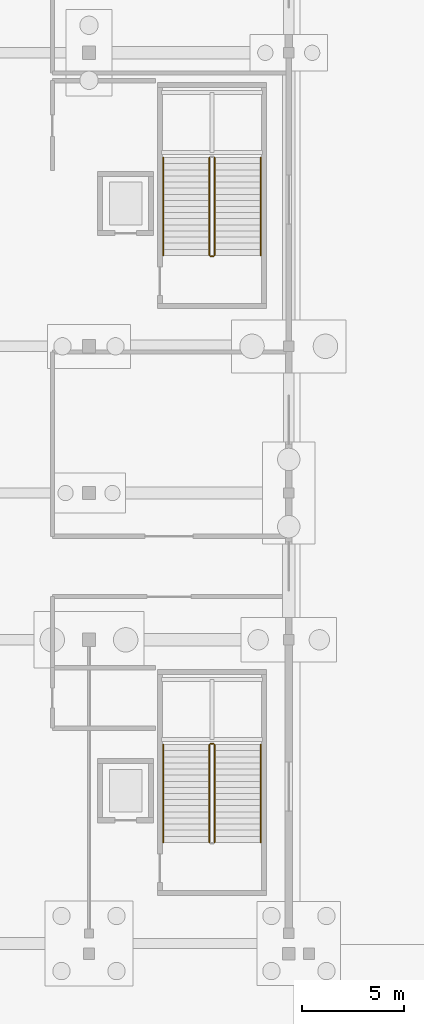
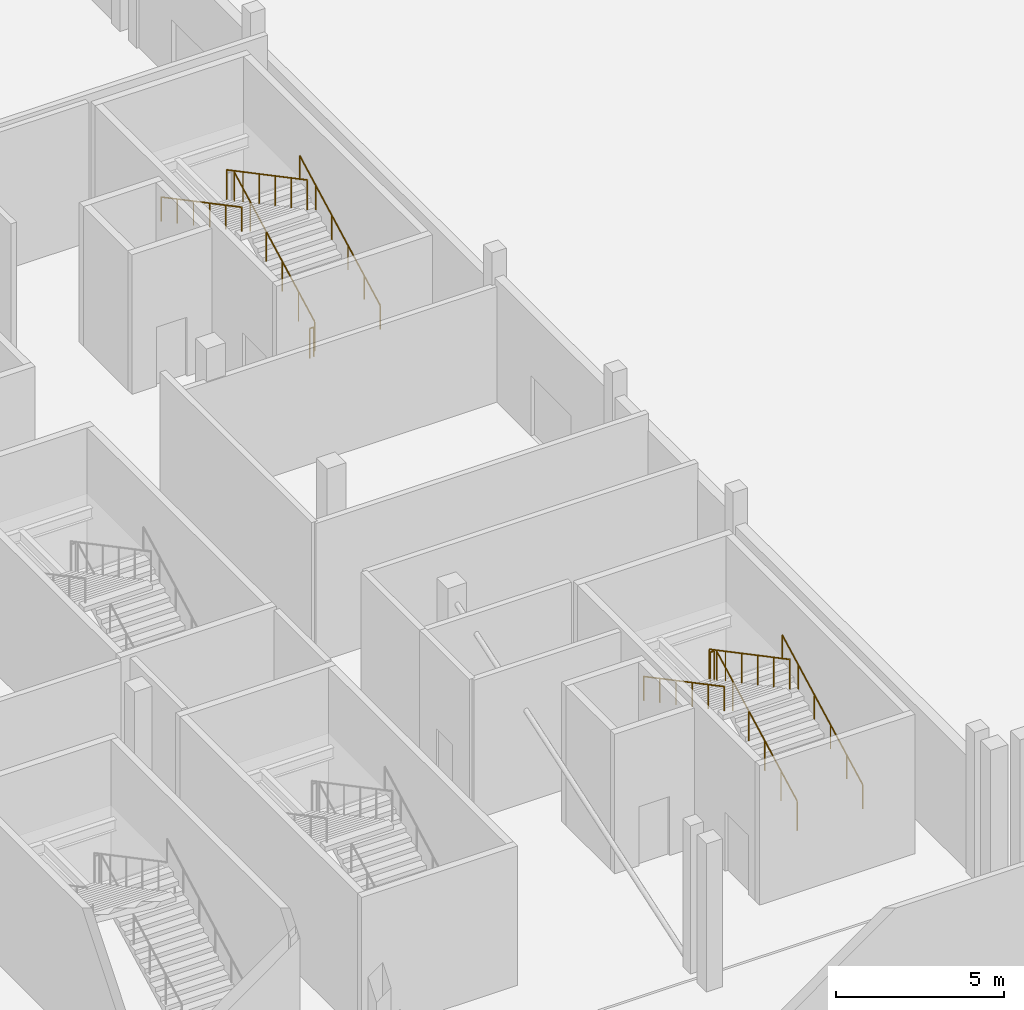
# One storey, part 79 of 89: 10 railings.
"""IFC4 building model written with IfcOpenShell, lengths in metres."""

from ifc_helpers import new_model, si_unit, direction, frame, origin, origin_2d, place, context, subcontext, project, spatial, circle, extrude, material, type_object, element, save


model = new_model("IFC4")

# Units and contexts
model_context = context("Model", 3, precision=1e-05, world=origin(), true_north=direction((0.0, 1.0)))
body_context = subcontext(model_context, "Body", "Model", "MODEL_VIEW")
ifc_project = project(units=[si_unit("LENGTHUNIT", "METRE"), si_unit("AREAUNIT", "SQUARE_METRE"), si_unit("VOLUMEUNIT", "CUBIC_METRE"), si_unit("PLANEANGLEUNIT", "RADIAN"), si_unit("MASSUNIT", "GRAM", prefix="KILO")], contexts=[model_context])

# Site, building, storey
site_placement = place(None, origin())
site = spatial("IfcSite", under=ifc_project, at=site_placement, CompositionType="ELEMENT")
building_placement = place(site_placement, origin())
building = spatial("IfcBuilding", under=site, at=building_placement, Name="Koshinbarg Plaza Stadium", CompositionType="ELEMENT")
storey_placement = place(building_placement, origin())
storey = spatial("IfcBuildingStorey", under=building, at=storey_placement, Name="L00", CompositionType="ELEMENT", Elevation=0.0)

# Railings
ifc_material_1 = material(Name="Galvanized painted steel guardrail", Category="steel")
railing_type_1 = type_object("IfcRailingType", Name="RL-GUARD-1100", PredefinedType="GUARDRAIL", material=ifc_material_1)
railing_1_placement = place(storey_placement, frame((214.760009765625, 29.9599609375, 0.158935546875)))
element("IfcRailing", 1, at=railing_1_placement, inside=storey, type_object=railing_type_1, Name="L00 C07 stair guard 1", PredefinedType="GUARDRAIL", context=body_context, shape_type="SweptSolid", body=[
    extrude(circle(Radius=0.02392578125, at=origin_2d()), frame((0.0, 0.0, 1.076171875), z_axis=(0.0, 0.883802130504, 0.467860870469), x_axis=(-1.0, 0.0, 0.0)), (0.0, 0.0, 1.0), 5.43115234375),
    extrude(circle(Radius=0.02099609375, at=origin_2d()), origin(), (0.0, 0.0, 1.0), 1.052001953125),
    extrude(circle(Radius=0.02099609375, at=origin_2d()), frame((0.0, 0.9599609375, 0.50830078125)), (0.0, 0.0, 1.0), 1.052001953125),
    extrude(circle(Radius=0.02099609375, at=origin_2d()), frame((0.0, 1.919921875, 1.016357421875)), (0.0, 0.0, 1.0), 1.052001953125),
    extrude(circle(Radius=0.02099609375, at=origin_2d()), frame((0.0, 2.880126953125, 1.524658203125)), (0.0, 0.0, 1.0), 1.052001953125),
    extrude(circle(Radius=0.02099609375, at=origin_2d()), frame((0.0, 3.840087890625, 2.03271484375)), (0.0, 0.0, 1.0), 1.052001953125),
    extrude(circle(Radius=0.02099609375, at=origin_2d()), frame((0.0, 4.800048828125, 2.541015625)), (0.0, 0.0, 1.0), 1.052001953125),
])
railing_2_placement = place(storey_placement, frame((214.7099609375, 34.81005859375, 2.699951171875)))
element("IfcRailing", 2, at=railing_2_placement, inside=storey, type_object=railing_type_1, Name="L00 C07 stair guard 2", PredefinedType="GUARDRAIL", context=body_context, shape_type="SweptSolid", body=[
    extrude(circle(Radius=0.02392578125, at=origin_2d()), frame((0.0, 0.0, 1.076171875), z_axis=(-1.0, 0.0, 0.0), x_axis=(0.0, -1.0, 0.0)), (0.0, 0.0, 1.0), 0.14990234375),
    extrude(circle(Radius=0.02099609375, at=origin_2d()), origin(), (0.0, 0.0, 1.0), 1.052001953125),
    extrude(circle(Radius=0.02099609375, at=origin_2d()), frame((-0.14990234375, 0.0, 0.0)), (0.0, 0.0, 1.0), 1.052001953125),
])
railing_3_placement = place(storey_placement, frame((214.510009765625, 34.760009765625, 2.85888671875)))
element("IfcRailing", 3, at=railing_3_placement, inside=storey, type_object=railing_type_1, Name="L00 C07 stair guard 3", PredefinedType="GUARDRAIL", context=body_context, shape_type="SweptSolid", body=[
    extrude(circle(Radius=0.02392578125, at=origin_2d()), frame((0.0, 0.0, 1.076171875), z_axis=(0.0, -0.883802130504, 0.467860870469), x_axis=(1.0, 0.0, 0.0)), (0.0, 0.0, 1.0), 5.43115234375),
    extrude(circle(Radius=0.02099609375, at=origin_2d()), origin(), (0.0, 0.0, 1.0), 1.052001953125),
    extrude(circle(Radius=0.02099609375, at=origin_2d()), frame((0.0, -0.9599609375, 0.50830078125)), (0.0, 0.0, 1.0), 1.052001953125),
    extrude(circle(Radius=0.02099609375, at=origin_2d()), frame((0.0, -1.919921875, 1.016357421875)), (0.0, 0.0, 1.0), 1.052001953125),
    extrude(circle(Radius=0.02099609375, at=origin_2d()), frame((0.0, -2.880126953125, 1.524658203125)), (0.0, 0.0, 1.0), 1.052001953125),
    extrude(circle(Radius=0.02099609375, at=origin_2d()), frame((0.0, -3.840087890625, 2.03271484375)), (0.0, 0.0, 1.0), 1.052001953125),
    extrude(circle(Radius=0.02099609375, at=origin_2d()), frame((0.0, -4.800048828125, 2.541015625)), (0.0, 0.0, 1.0), 1.052001953125),
])
railing_4_placement = place(storey_placement, frame((214.760009765625, 58.760009765625, 0.158935546875)))
element("IfcRailing", 4, at=railing_4_placement, inside=storey, type_object=railing_type_1, Name="L00 C08 stair guard 1", PredefinedType="GUARDRAIL", context=body_context, shape_type="SweptSolid", body=[
    extrude(circle(Radius=0.02392578125, at=origin_2d()), frame((0.0, 0.0, 1.076171875), z_axis=(0.0, 0.883802130504, 0.467860870469), x_axis=(-1.0, 0.0, 0.0)), (0.0, 0.0, 1.0), 5.43115234375),
    extrude(circle(Radius=0.02099609375, at=origin_2d()), origin(), (0.0, 0.0, 1.0), 1.052001953125),
    extrude(circle(Radius=0.02099609375, at=origin_2d()), frame((0.0, 0.9599609375, 0.50830078125)), (0.0, 0.0, 1.0), 1.052001953125),
    extrude(circle(Radius=0.02099609375, at=origin_2d()), frame((0.0, 1.919921875, 1.016357421875)), (0.0, 0.0, 1.0), 1.052001953125),
    extrude(circle(Radius=0.02099609375, at=origin_2d()), frame((0.0, 2.880126953125, 1.524658203125)), (0.0, 0.0, 1.0), 1.052001953125),
    extrude(circle(Radius=0.02099609375, at=origin_2d()), frame((0.0, 3.840087890625, 2.03271484375)), (0.0, 0.0, 1.0), 1.052001953125),
    extrude(circle(Radius=0.02099609375, at=origin_2d()), frame((0.0, 4.800048828125, 2.541015625)), (0.0, 0.0, 1.0), 1.052001953125),
])
railing_5_placement = place(storey_placement, frame((214.510009765625, 63.56005859375, 2.85888671875)))
element("IfcRailing", 5, at=railing_5_placement, inside=storey, type_object=railing_type_1, Name="L00 C08 stair guard 3", PredefinedType="GUARDRAIL", context=body_context, shape_type="SweptSolid", body=[
    extrude(circle(Radius=0.02392578125, at=origin_2d()), frame((0.0, 0.0, 1.076171875), z_axis=(0.0, -0.883802130504, 0.467860870469), x_axis=(1.0, 0.0, 0.0)), (0.0, 0.0, 1.0), 5.43115234375),
    extrude(circle(Radius=0.02099609375, at=origin_2d()), origin(), (0.0, 0.0, 1.0), 1.052001953125),
    extrude(circle(Radius=0.02099609375, at=origin_2d()), frame((0.0, -0.9599609375, 0.50830078125)), (0.0, 0.0, 1.0), 1.052001953125),
    extrude(circle(Radius=0.02099609375, at=origin_2d()), frame((0.0, -1.919921875, 1.016357421875)), (0.0, 0.0, 1.0), 1.052001953125),
    extrude(circle(Radius=0.02099609375, at=origin_2d()), frame((0.0, -2.880126953125, 1.524658203125)), (0.0, 0.0, 1.0), 1.052001953125),
    extrude(circle(Radius=0.02099609375, at=origin_2d()), frame((0.0, -3.840087890625, 2.03271484375)), (0.0, 0.0, 1.0), 1.052001953125),
    extrude(circle(Radius=0.02099609375, at=origin_2d()), frame((0.0, -4.800048828125, 2.541015625)), (0.0, 0.0, 1.0), 1.052001953125),
])
railing_6_placement = place(storey_placement, frame((214.7099609375, 58.7099609375, 0.0)))
element("IfcRailing", 6, at=railing_6_placement, inside=storey, type_object=railing_type_1, Name="L00 C08 stair guard 4", PredefinedType="GUARDRAIL", context=body_context, shape_type="SweptSolid", body=[
    extrude(circle(Radius=0.02392578125, at=origin_2d()), frame((0.0, 0.0, 1.076171875), z_axis=(-1.0, 0.0, 0.0), x_axis=(0.0, -1.0, 0.0)), (0.0, 0.0, 1.0), 0.14990234375),
    extrude(circle(Radius=0.02099609375, at=origin_2d()), origin(), (0.0, 0.0, 1.0), 1.052001953125),
    extrude(circle(Radius=0.02099609375, at=origin_2d()), frame((-0.14990234375, 0.0, 0.0)), (0.0, 0.0, 1.0), 1.052001953125),
])
ifc_material_2 = material(Name="Brushed stainless steel handrail", Category="steel")
railing_type_2 = type_object("IfcRailingType", Name="RL-HAND-900", PredefinedType="HANDRAIL", material=ifc_material_2)
railing_7_placement = place(storey_placement, frame((217.02001953125, 29.9599609375, 0.158935546875)))
element("IfcRailing", 7, at=railing_7_placement, inside=storey, type_object=railing_type_2, Name="L00 C07 stair handrail 1", PredefinedType="HANDRAIL", context=body_context, shape_type="SweptSolid", body=[
    extrude(circle(Radius=0.02392578125, at=origin_2d()), frame((0.0, 0.0, 0.8759765625), z_axis=(0.0, 0.883802130504, 0.467860870469), x_axis=(-1.0, 0.0, 0.0)), (0.0, 0.0, 1.0), 5.43115234375),
    extrude(circle(Radius=0.02099609375, at=origin_2d()), origin(), (0.0, 0.0, 1.0), 0.851806640625),
    extrude(circle(Radius=0.02099609375, at=origin_2d()), frame((0.0, 0.9599609375, 0.50830078125)), (0.0, 0.0, 1.0), 0.851806640625),
    extrude(circle(Radius=0.02099609375, at=origin_2d()), frame((0.0, 1.919921875, 1.016357421875)), (0.0, 0.0, 1.0), 0.851806640625),
    extrude(circle(Radius=0.02099609375, at=origin_2d()), frame((0.0, 2.880126953125, 1.524658203125)), (0.0, 0.0, 1.0), 0.851806640625),
    extrude(circle(Radius=0.02099609375, at=origin_2d()), frame((0.0, 3.840087890625, 2.03271484375)), (0.0, 0.0, 1.0), 0.851806640625),
    extrude(circle(Radius=0.02099609375, at=origin_2d()), frame((0.0, 4.800048828125, 2.541015625)), (0.0, 0.0, 1.0), 0.851806640625),
])
railing_8_placement = place(storey_placement, frame((212.25, 34.760009765625, 2.85888671875)))
element("IfcRailing", 8, at=railing_8_placement, inside=storey, type_object=railing_type_2, Name="L00 C07 stair handrail 2", PredefinedType="HANDRAIL", context=body_context, shape_type="SweptSolid", body=[
    extrude(circle(Radius=0.02392578125, at=origin_2d()), frame((0.0, 0.0, 0.8759765625), z_axis=(0.0, -0.883802130504, 0.467860870469), x_axis=(1.0, 0.0, 0.0)), (0.0, 0.0, 1.0), 5.43115234375),
    extrude(circle(Radius=0.02099609375, at=origin_2d()), origin(), (0.0, 0.0, 1.0), 0.851806640625),
    extrude(circle(Radius=0.02099609375, at=origin_2d()), frame((0.0, -0.9599609375, 0.50830078125)), (0.0, 0.0, 1.0), 0.851806640625),
    extrude(circle(Radius=0.02099609375, at=origin_2d()), frame((0.0, -1.919921875, 1.016357421875)), (0.0, 0.0, 1.0), 0.851806640625),
    extrude(circle(Radius=0.02099609375, at=origin_2d()), frame((0.0, -2.880126953125, 1.524658203125)), (0.0, 0.0, 1.0), 0.851806640625),
    extrude(circle(Radius=0.02099609375, at=origin_2d()), frame((0.0, -3.840087890625, 2.03271484375)), (0.0, 0.0, 1.0), 0.851806640625),
    extrude(circle(Radius=0.02099609375, at=origin_2d()), frame((0.0, -4.800048828125, 2.541015625)), (0.0, 0.0, 1.0), 0.851806640625),
])
railing_9_placement = place(storey_placement, frame((217.02001953125, 58.760009765625, 0.158935546875)))
element("IfcRailing", 9, at=railing_9_placement, inside=storey, type_object=railing_type_2, Name="L00 C08 stair handrail 1", PredefinedType="HANDRAIL", context=body_context, shape_type="SweptSolid", body=[
    extrude(circle(Radius=0.02392578125, at=origin_2d()), frame((0.0, 0.0, 0.8759765625), z_axis=(0.0, 0.883802130504, 0.467860870469), x_axis=(-1.0, 0.0, 0.0)), (0.0, 0.0, 1.0), 5.43115234375),
    extrude(circle(Radius=0.02099609375, at=origin_2d()), origin(), (0.0, 0.0, 1.0), 0.851806640625),
    extrude(circle(Radius=0.02099609375, at=origin_2d()), frame((0.0, 0.9599609375, 0.50830078125)), (0.0, 0.0, 1.0), 0.851806640625),
    extrude(circle(Radius=0.02099609375, at=origin_2d()), frame((0.0, 1.919921875, 1.016357421875)), (0.0, 0.0, 1.0), 0.851806640625),
    extrude(circle(Radius=0.02099609375, at=origin_2d()), frame((0.0, 2.880126953125, 1.524658203125)), (0.0, 0.0, 1.0), 0.851806640625),
    extrude(circle(Radius=0.02099609375, at=origin_2d()), frame((0.0, 3.840087890625, 2.03271484375)), (0.0, 0.0, 1.0), 0.851806640625),
    extrude(circle(Radius=0.02099609375, at=origin_2d()), frame((0.0, 4.800048828125, 2.541015625)), (0.0, 0.0, 1.0), 0.851806640625),
])
railing_10_placement = place(storey_placement, frame((212.25, 63.56005859375, 2.85888671875)))
element("IfcRailing", 10, at=railing_10_placement, inside=storey, type_object=railing_type_2, Name="L00 C08 stair handrail 2", PredefinedType="HANDRAIL", context=body_context, shape_type="SweptSolid", body=[
    extrude(circle(Radius=0.02392578125, at=origin_2d()), frame((0.0, 0.0, 0.8759765625), z_axis=(0.0, -0.883802130504, 0.467860870469), x_axis=(1.0, 0.0, 0.0)), (0.0, 0.0, 1.0), 5.43115234375),
    extrude(circle(Radius=0.02099609375, at=origin_2d()), origin(), (0.0, 0.0, 1.0), 0.851806640625),
    extrude(circle(Radius=0.02099609375, at=origin_2d()), frame((0.0, -0.9599609375, 0.50830078125)), (0.0, 0.0, 1.0), 0.851806640625),
    extrude(circle(Radius=0.02099609375, at=origin_2d()), frame((0.0, -1.919921875, 1.016357421875)), (0.0, 0.0, 1.0), 0.851806640625),
    extrude(circle(Radius=0.02099609375, at=origin_2d()), frame((0.0, -2.880126953125, 1.524658203125)), (0.0, 0.0, 1.0), 0.851806640625),
    extrude(circle(Radius=0.02099609375, at=origin_2d()), frame((0.0, -3.840087890625, 2.03271484375)), (0.0, 0.0, 1.0), 0.851806640625),
    extrude(circle(Radius=0.02099609375, at=origin_2d()), frame((0.0, -4.800048828125, 2.541015625)), (0.0, 0.0, 1.0), 0.851806640625),
])

save(model, "model.ifc")
